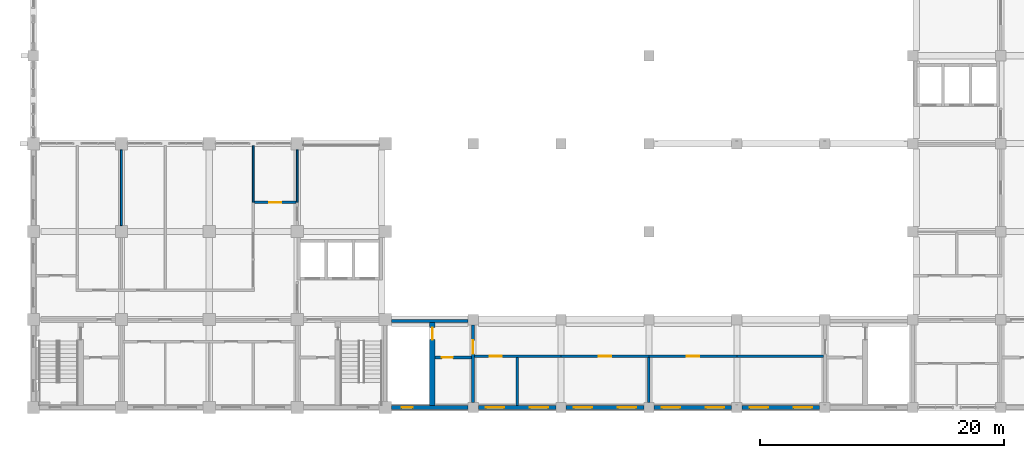
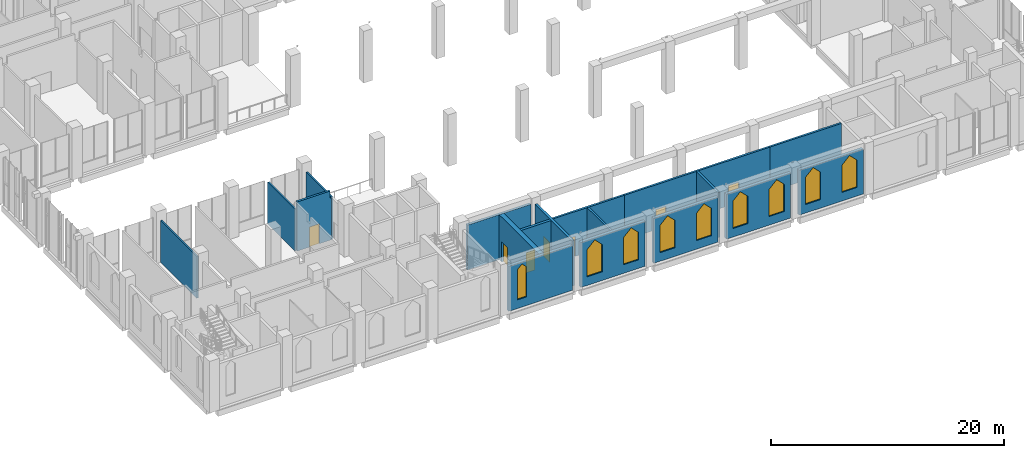
# One storey, part 29 of 48: 19 walls, 9 windows, 7 doors, 16 openings.
"""IFC4 building model written with IfcOpenShell, lengths in metres."""

from ifc_helpers import new_model, si_unit, direction, frame, frame_2d, origin, place, context, subcontext, project, spatial, polyline, rectangle, outline, extrude, material, layer, layer_set, type_object, element, fill, save


model = new_model("IFC4")

# Units and contexts
model_context = context("Model", 3, precision=1e-05, world=origin(), true_north=direction((0.0, 1.0)))
body_context = subcontext(model_context, "Body", "Model", "MODEL_VIEW")
ifc_project = project(units=[si_unit("LENGTHUNIT", "METRE"), si_unit("AREAUNIT", "SQUARE_METRE"), si_unit("VOLUMEUNIT", "CUBIC_METRE"), si_unit("PLANEANGLEUNIT", "RADIAN"), si_unit("MASSUNIT", "GRAM", prefix="KILO")], contexts=[model_context])

# Site, building, storey
site_placement = place(None, origin())
site = spatial("IfcSite", under=ifc_project, at=site_placement, CompositionType="ELEMENT")
building_placement = place(site_placement, origin())
building = spatial("IfcBuilding", under=site, at=building_placement, Name="Silangan Lancet Faculty of Sciences", CompositionType="ELEMENT")
storey_placement = place(building_placement, frame((0.0, 0.0, 6.0)))
storey = spatial("IfcBuildingStorey", under=building, at=storey_placement, Name="L01", CompositionType="ELEMENT", Elevation=6.0)

# Wall, opening, window
ifc_material_1 = material(Name="Concrete C40/50 precast", Category="concrete")
ifc_layer_1 = layer(ifc_material_1, 0.300048828125)
ifc_layer_set_1 = layer_set([ifc_layer_1], Name="Concrete C40/50 precast")
wall_type_1 = type_object("IfcWallType", Name="EW2 Turret enclosure wall", PredefinedType="STANDARD", material=ifc_layer_set_1)
wall_1_placement = place(storey_placement, frame((29.300048828125, 0.0, 0.0), z_axis=(0.0, 0.0, 1.0), x_axis=(1.0, 0.0, 0.0)))
wall_1 = element("IfcWall", 1, at=wall_1_placement, inside=storey, type_object=wall_type_1, Name="EW-L01-S-SAB-00", PredefinedType="STANDARD", context=body_context, shape_type="SweptSolid", body=[
    extrude(rectangle(XDim=6.27490234375, YDim=0.300048828125, at=frame_2d((3.137451171875, 0.0))), origin(), (0.0, 0.0, 1.0), 4.699951171875),
])
opening_1_placement = place(wall_1_placement, frame((0.85009765625, 0.0, 0.89990234375)))
opening_1 = element("IfcOpeningElement", 2, at=opening_1_placement, cuts=wall_1, Name="Opening W5", PredefinedType="OPENING", context=body_context, shape_type="SweptSolid", body=[
    extrude(outline(polyline([(0.0, 0.0), (0.89990234375, 0.0), (0.89990234375, 3.150146484375), (0.449951171875, 3.60009765625), (0.0, 3.150146484375), (0.0, 0.0)])), frame((0.0, 0.159912109375, 0.0), z_axis=(0.0, -1.0, 0.0), x_axis=(1.0, 0.0, 0.0)), (0.0, 0.0, 1.0), 0.320068359375),
])
ifc_material_2 = material(Name="Aluminium frame, laminated double glazing", Category="aluminium")
window_type_1 = type_object("IfcWindowType", Name="W5 Lancet window 900 x 3600", PartitioningType="SINGLE_PANEL", PredefinedType="WINDOW", material=ifc_material_2)
window_1_placement = place(opening_1_placement, origin())
window_1 = element("IfcWindow", 3, at=window_1_placement, inside=storey, type_object=window_type_1, Name="WIN-L01-S-SAB-00a", OverallHeight=3.60009765625, OverallWidth=0.89990234375, PartitioningType="SINGLE_PANEL", PredefinedType="WINDOW", context=body_context, shape_type="SweptSolid", body=[
    extrude(outline(polyline([(0.0, 0.0), (0.89990234375, 0.0), (0.89990234375, 3.150146484375), (0.449951171875, 3.60009765625), (0.0, 3.150146484375), (0.0, 0.0)])), frame((0.0, 0.030029296875, 0.0), z_axis=(0.0, -1.0, 0.0), x_axis=(1.0, 0.0, 0.0)), (0.0, 0.0, 1.0), 0.06005859375),
])
fill(opening_1, window_1)

# Wall, openings, windows
ifc_material_3 = material(Name="Concrete C40/50", Category="concrete")
ifc_layer_2 = layer(ifc_material_3, 0.300048828125)
ifc_layer_set_2 = layer_set([ifc_layer_2], Name="Concrete C40/50")
wall_type_2 = type_object("IfcWallType", Name="EW6 Stone-faced base wall", PredefinedType="STANDARD", material=ifc_layer_set_2)
wall_2_placement = place(storey_placement, frame((36.425048828125, 0.0, 0.0), z_axis=(0.0, 0.0, 1.0), x_axis=(1.0, 0.0, 0.0)))
wall_2 = element("IfcWall", 4, at=wall_2_placement, inside=storey, type_object=wall_type_2, Name="EW-L01-S-SAB-01", PredefinedType="STANDARD", context=body_context, shape_type="SweptSolid", body=[
    extrude(rectangle(XDim=6.349853515625, YDim=0.300048828125, at=frame_2d((3.1748046875, 0.0))), origin(), (0.0, 0.0, 1.0), 4.699951171875),
])
opening_2_placement = place(wall_2_placement, frame((0.625, 0.0, 0.89990234375)))
opening_2 = element("IfcOpeningElement", 5, at=opening_2_placement, cuts=wall_2, Name="Opening W6", PredefinedType="OPENING", context=body_context, shape_type="SweptSolid", body=[
    extrude(outline(polyline([(0.0, 0.0), (1.5, 0.0), (1.5, 2.85009765625), (0.75, 3.60009765625), (0.0, 2.85009765625), (0.0, 0.0)])), frame((0.0, 0.159912109375, 0.0), z_axis=(0.0, -1.0, 0.0), x_axis=(1.0, 0.0, 0.0)), (0.0, 0.0, 1.0), 0.320068359375),
])
opening_3_placement = place(wall_2_placement, frame((4.22509765625, 0.0, 0.89990234375)))
opening_3 = element("IfcOpeningElement", 6, at=opening_3_placement, cuts=wall_2, Name="Opening W6", PredefinedType="OPENING", context=body_context, shape_type="SweptSolid", body=[
    extrude(outline(polyline([(0.0, 0.0), (1.5, 0.0), (1.5, 2.85009765625), (0.75, 3.60009765625), (0.0, 2.85009765625), (0.0, 0.0)])), frame((0.0, 0.159912109375, 0.0), z_axis=(0.0, -1.0, 0.0), x_axis=(1.0, 0.0, 0.0)), (0.0, 0.0, 1.0), 0.320068359375),
])
ifc_material_4 = material(Name="Aluminium frame, laminated double glazing", Category="aluminium")
window_type_2 = type_object("IfcWindowType", Name="W6 Lancet window 1500 x 3600", PartitioningType="SINGLE_PANEL", PredefinedType="WINDOW", material=ifc_material_4)
window_2_placement = place(opening_2_placement, origin())
window_2 = element("IfcWindow", 7, at=window_2_placement, inside=storey, type_object=window_type_2, Name="WIN-L01-S-SAB-01a", OverallHeight=3.60009765625, OverallWidth=1.5, PartitioningType="SINGLE_PANEL", PredefinedType="WINDOW", context=body_context, shape_type="SweptSolid", body=[
    extrude(outline(polyline([(0.0, 0.0), (1.5, 0.0), (1.5, 2.85009765625), (0.75, 3.60009765625), (0.0, 2.85009765625), (0.0, 0.0)])), frame((0.0, 0.030029296875, 0.0), z_axis=(0.0, -1.0, 0.0), x_axis=(1.0, 0.0, 0.0)), (0.0, 0.0, 1.0), 0.06005859375),
])
fill(opening_2, window_2)
window_3_placement = place(opening_3_placement, origin())
window_3 = element("IfcWindow", 8, at=window_3_placement, inside=storey, type_object=window_type_2, Name="WIN-L01-S-SAB-01b", OverallHeight=3.60009765625, OverallWidth=1.5, PartitioningType="SINGLE_PANEL", PredefinedType="WINDOW", context=body_context, shape_type="SweptSolid", body=[
    extrude(outline(polyline([(0.0, 0.0), (1.5, 0.0), (1.5, 2.85009765625), (0.75, 3.60009765625), (0.0, 2.85009765625), (0.0, 0.0)])), frame((0.0, 0.030029296875, 0.0), z_axis=(0.0, -1.0, 0.0), x_axis=(1.0, 0.0, 0.0)), (0.0, 0.0, 1.0), 0.06005859375),
])
fill(opening_3, window_3)

wall_3_placement = place(storey_placement, frame((43.625, 0.0, 0.0), z_axis=(0.0, 0.0, 1.0), x_axis=(1.0, 0.0, 0.0)))
wall_3 = element("IfcWall", 9, at=wall_3_placement, inside=storey, type_object=wall_type_2, Name="EW-L01-S-SAB-02", PredefinedType="STANDARD", context=body_context, shape_type="SweptSolid", body=[
    extrude(rectangle(XDim=6.35009765625, YDim=0.300048828125, at=frame_2d((3.175048828125, 0.0))), origin(), (0.0, 0.0, 1.0), 4.699951171875),
])
opening_4_placement = place(wall_3_placement, frame((0.625, 0.0, 0.89990234375)))
opening_4 = element("IfcOpeningElement", 10, at=opening_4_placement, cuts=wall_3, Name="Opening W6", PredefinedType="OPENING", context=body_context, shape_type="SweptSolid", body=[
    extrude(outline(polyline([(0.0, 0.0), (1.5, 0.0), (1.5, 2.85009765625), (0.75, 3.60009765625), (0.0, 2.85009765625), (0.0, 0.0)])), frame((0.0, 0.159912109375, 0.0), z_axis=(0.0, -1.0, 0.0), x_axis=(1.0, 0.0, 0.0)), (0.0, 0.0, 1.0), 0.320068359375),
])
opening_5_placement = place(wall_3_placement, frame((4.22509765625, 0.0, 0.89990234375)))
opening_5 = element("IfcOpeningElement", 11, at=opening_5_placement, cuts=wall_3, Name="Opening W6", PredefinedType="OPENING", context=body_context, shape_type="SweptSolid", body=[
    extrude(outline(polyline([(0.0, 0.0), (1.5, 0.0), (1.5, 2.85009765625), (0.75, 3.60009765625), (0.0, 2.85009765625), (0.0, 0.0)])), frame((0.0, 0.159912109375, 0.0), z_axis=(0.0, -1.0, 0.0), x_axis=(1.0, 0.0, 0.0)), (0.0, 0.0, 1.0), 0.320068359375),
])
window_4_placement = place(opening_4_placement, origin())
window_4 = element("IfcWindow", 12, at=window_4_placement, inside=storey, type_object=window_type_2, Name="WIN-L01-S-SAB-02a", OverallHeight=3.60009765625, OverallWidth=1.5, PartitioningType="SINGLE_PANEL", PredefinedType="WINDOW", context=body_context, shape_type="SweptSolid", body=[
    extrude(outline(polyline([(0.0, 0.0), (1.5, 0.0), (1.5, 2.85009765625), (0.75, 3.60009765625), (0.0, 2.85009765625), (0.0, 0.0)])), frame((0.0, 0.030029296875, 0.0), z_axis=(0.0, -1.0, 0.0), x_axis=(1.0, 0.0, 0.0)), (0.0, 0.0, 1.0), 0.06005859375),
])
fill(opening_4, window_4)
window_5_placement = place(opening_5_placement, origin())
window_5 = element("IfcWindow", 13, at=window_5_placement, inside=storey, type_object=window_type_2, Name="WIN-L01-S-SAB-02b", OverallHeight=3.60009765625, OverallWidth=1.5, PartitioningType="SINGLE_PANEL", PredefinedType="WINDOW", context=body_context, shape_type="SweptSolid", body=[
    extrude(outline(polyline([(0.0, 0.0), (1.5, 0.0), (1.5, 2.85009765625), (0.75, 3.60009765625), (0.0, 2.85009765625), (0.0, 0.0)])), frame((0.0, 0.030029296875, 0.0), z_axis=(0.0, -1.0, 0.0), x_axis=(1.0, 0.0, 0.0)), (0.0, 0.0, 1.0), 0.06005859375),
])
fill(opening_5, window_5)

wall_4_placement = place(storey_placement, frame((50.824951171875, 0.0, 0.0), z_axis=(0.0, 0.0, 1.0), x_axis=(1.0, 0.0, 0.0)))
wall_4 = element("IfcWall", 14, at=wall_4_placement, inside=storey, type_object=wall_type_2, Name="EW-L01-S-SAB-03", PredefinedType="STANDARD", context=body_context, shape_type="SweptSolid", body=[
    extrude(rectangle(XDim=6.35009765625, YDim=0.300048828125, at=frame_2d((3.175048828125, 0.0))), origin(), (0.0, 0.0, 1.0), 4.699951171875),
])
opening_6_placement = place(wall_4_placement, frame((0.625, 0.0, 0.89990234375)))
opening_6 = element("IfcOpeningElement", 15, at=opening_6_placement, cuts=wall_4, Name="Opening W6", PredefinedType="OPENING", context=body_context, shape_type="SweptSolid", body=[
    extrude(outline(polyline([(0.0, 0.0), (1.5, 0.0), (1.5, 2.85009765625), (0.75, 3.60009765625), (0.0, 2.85009765625), (0.0, 0.0)])), frame((0.0, 0.159912109375, 0.0), z_axis=(0.0, -1.0, 0.0), x_axis=(1.0, 0.0, 0.0)), (0.0, 0.0, 1.0), 0.320068359375),
])
opening_7_placement = place(wall_4_placement, frame((4.22509765625, 0.0, 0.89990234375)))
opening_7 = element("IfcOpeningElement", 16, at=opening_7_placement, cuts=wall_4, Name="Opening W6", PredefinedType="OPENING", context=body_context, shape_type="SweptSolid", body=[
    extrude(outline(polyline([(0.0, 0.0), (1.5, 0.0), (1.5, 2.85009765625), (0.75, 3.60009765625), (0.0, 2.85009765625), (0.0, 0.0)])), frame((0.0, 0.159912109375, 0.0), z_axis=(0.0, -1.0, 0.0), x_axis=(1.0, 0.0, 0.0)), (0.0, 0.0, 1.0), 0.320068359375),
])
window_6_placement = place(opening_6_placement, origin())
window_6 = element("IfcWindow", 17, at=window_6_placement, inside=storey, type_object=window_type_2, Name="WIN-L01-S-SAB-03a", OverallHeight=3.60009765625, OverallWidth=1.5, PartitioningType="SINGLE_PANEL", PredefinedType="WINDOW", context=body_context, shape_type="SweptSolid", body=[
    extrude(outline(polyline([(0.0, 0.0), (1.5, 0.0), (1.5, 2.85009765625), (0.75, 3.60009765625), (0.0, 2.85009765625), (0.0, 0.0)])), frame((0.0, 0.030029296875, 0.0), z_axis=(0.0, -1.0, 0.0), x_axis=(1.0, 0.0, 0.0)), (0.0, 0.0, 1.0), 0.06005859375),
])
fill(opening_6, window_6)
window_7_placement = place(opening_7_placement, origin())
window_7 = element("IfcWindow", 18, at=window_7_placement, inside=storey, type_object=window_type_2, Name="WIN-L01-S-SAB-03b", OverallHeight=3.60009765625, OverallWidth=1.5, PartitioningType="SINGLE_PANEL", PredefinedType="WINDOW", context=body_context, shape_type="SweptSolid", body=[
    extrude(outline(polyline([(0.0, 0.0), (1.5, 0.0), (1.5, 2.85009765625), (0.75, 3.60009765625), (0.0, 2.85009765625), (0.0, 0.0)])), frame((0.0, 0.030029296875, 0.0), z_axis=(0.0, -1.0, 0.0), x_axis=(1.0, 0.0, 0.0)), (0.0, 0.0, 1.0), 0.06005859375),
])
fill(opening_7, window_7)

wall_5_placement = place(storey_placement, frame((58.02490234375, 0.0, 0.0), z_axis=(0.0, 0.0, 1.0), x_axis=(1.0, 0.0, 0.0)))
wall_5 = element("IfcWall", 19, at=wall_5_placement, inside=storey, type_object=wall_type_2, Name="EW-L01-S-SAB-04", PredefinedType="STANDARD", context=body_context, shape_type="SweptSolid", body=[
    extrude(rectangle(XDim=6.35009765625, YDim=0.300048828125, at=frame_2d((3.175048828125, 0.0))), origin(), (0.0, 0.0, 1.0), 4.699951171875),
])
opening_8_placement = place(wall_5_placement, frame((0.625, 0.0, 0.89990234375)))
opening_8 = element("IfcOpeningElement", 20, at=opening_8_placement, cuts=wall_5, Name="Opening W6", PredefinedType="OPENING", context=body_context, shape_type="SweptSolid", body=[
    extrude(outline(polyline([(0.0, 0.0), (1.5, 0.0), (1.5, 2.85009765625), (0.75, 3.60009765625), (0.0, 2.85009765625), (0.0, 0.0)])), frame((0.0, 0.159912109375, 0.0), z_axis=(0.0, -1.0, 0.0), x_axis=(1.0, 0.0, 0.0)), (0.0, 0.0, 1.0), 0.320068359375),
])
opening_9_placement = place(wall_5_placement, frame((4.22509765625, 0.0, 0.89990234375)))
opening_9 = element("IfcOpeningElement", 21, at=opening_9_placement, cuts=wall_5, Name="Opening W6", PredefinedType="OPENING", context=body_context, shape_type="SweptSolid", body=[
    extrude(outline(polyline([(0.0, 0.0), (1.5, 0.0), (1.5, 2.85009765625), (0.75, 3.60009765625), (0.0, 2.85009765625), (0.0, 0.0)])), frame((0.0, 0.159912109375, 0.0), z_axis=(0.0, -1.0, 0.0), x_axis=(1.0, 0.0, 0.0)), (0.0, 0.0, 1.0), 0.320068359375),
])
window_8_placement = place(opening_8_placement, origin())
window_8 = element("IfcWindow", 22, at=window_8_placement, inside=storey, type_object=window_type_2, Name="WIN-L01-S-SAB-04a", OverallHeight=3.60009765625, OverallWidth=1.5, PartitioningType="SINGLE_PANEL", PredefinedType="WINDOW", context=body_context, shape_type="SweptSolid", body=[
    extrude(outline(polyline([(0.0, 0.0), (1.5, 0.0), (1.5, 2.85009765625), (0.75, 3.60009765625), (0.0, 2.85009765625), (0.0, 0.0)])), frame((0.0, 0.030029296875, 0.0), z_axis=(0.0, -1.0, 0.0), x_axis=(1.0, 0.0, 0.0)), (0.0, 0.0, 1.0), 0.06005859375),
])
fill(opening_8, window_8)
window_9_placement = place(opening_9_placement, origin())
window_9 = element("IfcWindow", 23, at=window_9_placement, inside=storey, type_object=window_type_2, Name="WIN-L01-S-SAB-04b", OverallHeight=3.60009765625, OverallWidth=1.5, PartitioningType="SINGLE_PANEL", PredefinedType="WINDOW", context=body_context, shape_type="SweptSolid", body=[
    extrude(outline(polyline([(0.0, 0.0), (1.5, 0.0), (1.5, 2.85009765625), (0.75, 3.60009765625), (0.0, 2.85009765625), (0.0, 0.0)])), frame((0.0, 0.030029296875, 0.0), z_axis=(0.0, -1.0, 0.0), x_axis=(1.0, 0.0, 0.0)), (0.0, 0.0, 1.0), 0.06005859375),
])
fill(opening_9, window_9)

# Wall, opening, door
ifc_material_5 = material(Name="Hollow block masonry fm 7 MPa", Category="masonry")
ifc_layer_3 = layer(ifc_material_5, 0.199951171875)
ifc_layer_set_3 = layer_set([ifc_layer_3], Name="Hollow block masonry fm 7 MPa")
wall_type_3 = type_object("IfcWallType", Name="Interior wall PW1 Corridor wall CHB 200", PredefinedType="PARTITIONING", material=ifc_layer_set_3)
wall_6_placement = place(storey_placement, frame((36.125, 4.199951171875, 0.0), z_axis=(0.0, 0.0, 1.0), x_axis=(1.0, 0.0, 0.0)))
wall_6 = element("IfcWall", 24, at=wall_6_placement, inside=storey, type_object=wall_type_3, Name="Corridor wall CHB 200", PredefinedType="PARTITIONING", context=body_context, shape_type="SweptSolid", body=[
    extrude(rectangle(XDim=7.074951171875, YDim=0.199951171875, at=frame_2d((3.53759765625, 0.0))), origin(), (0.0, 0.0, 1.0), 4.699951171875),
])
opening_10_placement = place(wall_6_placement, frame((1.237548828125, 0.0, 0.0)))
opening_10 = element("IfcOpeningElement", 25, at=opening_10_placement, cuts=wall_6, Name="Opening L01-031", PredefinedType="OPENING", context=body_context, shape_type="SweptSolid", body=[
    extrude(rectangle(XDim=1.0, YDim=2.10009765625, at=frame_2d((0.5, 1.050048828125))), frame((0.0, 0.10986328125, 0.0), z_axis=(0.0, -1.0, 0.0), x_axis=(1.0, 0.0, 0.0)), (0.0, 0.0, 1.0), 0.219970703125),
])
ifc_material_6 = material(Name="Steel fire door set", Category="steel")
door_type_1 = type_object("IfcDoorType", Name="Door D1 Single leaf fire door 1000 x 2100", OperationType="SINGLE_SWING_LEFT", PredefinedType="DOOR", material=ifc_material_6)
door_1_placement = place(opening_10_placement, frame((1.0, 0.0, 0.0), z_axis=(0.0, 0.0, 1.0), x_axis=(-1.0, 0.0, 0.0)))
door_1 = element("IfcDoor", 26, at=door_1_placement, inside=storey, type_object=door_type_1, Name="Single leaf fire door 1000 x 2100", OperationType="SINGLE_SWING_RIGHT", OverallHeight=2.10009765625, OverallWidth=1.0, PredefinedType="DOOR", context=body_context, shape_type="SweptSolid", body=[
    extrude(rectangle(XDim=1.0, YDim=2.10009765625, at=frame_2d((0.5, 1.050048828125))), frame((0.0, 0.025146484375, 0.0), z_axis=(0.0, -1.0, 0.0), x_axis=(1.0, 0.0, 0.0)), (0.0, 0.0, 1.0), 0.050048828125),
])
fill(opening_10, door_1)

wall_7_placement = place(storey_placement, frame((43.199951171875, 4.199951171875, 0.0), z_axis=(0.0, 0.0, 1.0), x_axis=(1.0, 0.0, 0.0)))
wall_7 = element("IfcWall", 27, at=wall_7_placement, inside=storey, type_object=wall_type_3, Name="Corridor wall CHB 200", PredefinedType="PARTITIONING", context=body_context, shape_type="SweptSolid", body=[
    extrude(rectangle(XDim=7.199951171875, YDim=0.199951171875, at=frame_2d((3.60009765625, 0.0))), origin(), (0.0, 0.0, 1.0), 4.699951171875),
])
opening_11_placement = place(wall_7_placement, frame((3.099853515625, 0.0, 0.0)))
opening_11 = element("IfcOpeningElement", 28, at=opening_11_placement, cuts=wall_7, Name="Opening L01-032", PredefinedType="OPENING", context=body_context, shape_type="SweptSolid", body=[
    extrude(rectangle(XDim=1.0, YDim=2.10009765625, at=frame_2d((0.5, 1.050048828125))), frame((0.0, 0.10986328125, 0.0), z_axis=(0.0, -1.0, 0.0), x_axis=(1.0, 0.0, 0.0)), (0.0, 0.0, 1.0), 0.219970703125),
])
door_2_placement = place(opening_11_placement, frame((1.0, 0.0, 0.0), z_axis=(0.0, 0.0, 1.0), x_axis=(-1.0, 0.0, 0.0)))
door_2 = element("IfcDoor", 29, at=door_2_placement, inside=storey, type_object=door_type_1, Name="Single leaf fire door 1000 x 2100", OperationType="SINGLE_SWING_LEFT", OverallHeight=2.10009765625, OverallWidth=1.0, PredefinedType="DOOR", context=body_context, shape_type="SweptSolid", body=[
    extrude(rectangle(XDim=1.0, YDim=2.10009765625, at=frame_2d((0.5, 1.050048828125))), frame((0.0, 0.025146484375, 0.0), z_axis=(0.0, -1.0, 0.0), x_axis=(1.0, 0.0, 0.0)), (0.0, 0.0, 1.0), 0.050048828125),
])
fill(opening_11, door_2)

wall_8_placement = place(storey_placement, frame((50.39990234375, 4.199951171875, 0.0), z_axis=(0.0, 0.0, 1.0), x_axis=(1.0, 0.0, 0.0)))
wall_8 = element("IfcWall", 30, at=wall_8_placement, inside=storey, type_object=wall_type_3, Name="Corridor wall CHB 200", PredefinedType="PARTITIONING", context=body_context, shape_type="SweptSolid", body=[
    extrude(rectangle(XDim=7.2001953125, YDim=0.199951171875, at=frame_2d((3.60009765625, 0.0))), origin(), (0.0, 0.0, 1.0), 4.699951171875),
])
opening_12_placement = place(wall_8_placement, frame((3.10009765625, 0.0, 0.0)))
opening_12 = element("IfcOpeningElement", 31, at=opening_12_placement, cuts=wall_8, Name="Opening L01-033", PredefinedType="OPENING", context=body_context, shape_type="SweptSolid", body=[
    extrude(rectangle(XDim=1.0, YDim=2.10009765625, at=frame_2d((0.5, 1.050048828125))), frame((0.0, 0.10986328125, 0.0), z_axis=(0.0, -1.0, 0.0), x_axis=(1.0, 0.0, 0.0)), (0.0, 0.0, 1.0), 0.219970703125),
])
door_3_placement = place(opening_12_placement, frame((1.0, 0.0, 0.0), z_axis=(0.0, 0.0, 1.0), x_axis=(-1.0, 0.0, 0.0)))
door_3 = element("IfcDoor", 32, at=door_3_placement, inside=storey, type_object=door_type_1, Name="Single leaf fire door 1000 x 2100", OperationType="SINGLE_SWING_RIGHT", OverallHeight=2.10009765625, OverallWidth=1.0, PredefinedType="DOOR", context=body_context, shape_type="SweptSolid", body=[
    extrude(rectangle(XDim=1.0, YDim=2.10009765625, at=frame_2d((0.5, 1.050048828125))), frame((0.0, 0.025146484375, 0.0), z_axis=(0.0, -1.0, 0.0), x_axis=(1.0, 0.0, 0.0)), (0.0, 0.0, 1.0), 0.050048828125),
])
fill(opening_12, door_3)

# Wall
wall_9_placement = place(storey_placement, frame((57.60009765625, 4.199951171875, 0.0), z_axis=(0.0, 0.0, 1.0), x_axis=(1.0, 0.0, 0.0)))
element("IfcWall", 33, at=wall_9_placement, inside=storey, type_object=wall_type_3, Name="Corridor wall CHB 200", PredefinedType="PARTITIONING", context=body_context, shape_type="SweptSolid", body=[
    extrude(rectangle(XDim=7.074951171875, YDim=0.199951171875, at=frame_2d((3.53759765625, 0.0))), origin(), (0.0, 0.0, 1.0), 4.699951171875),
])

# Wall, opening, door
wall_10_placement = place(storey_placement, frame((18.10009765625, 16.800048828125, 0.0), z_axis=(0.0, 0.0, 1.0), x_axis=(1.0, 0.0, 0.0)))
wall_10 = element("IfcWall", 34, at=wall_10_placement, inside=storey, type_object=wall_type_3, Name="Corridor wall CHB 200", PredefinedType="PARTITIONING", context=body_context, shape_type="SweptSolid", body=[
    extrude(outline(polyline([(0.0, 0.0), (3.39990234375, 0.0), (3.39990234375, 4.39990234375), (3.25, 4.39990234375), (3.25, 5.14990234375), (0.0, 5.14990234375), (0.0, 0.0)])), frame((0.0, 0.10009765625, 0.0), z_axis=(0.0, -1.0, 0.0), x_axis=(1.0, 0.0, 0.0)), (0.0, 0.0, 1.0), 0.199951171875),
])
opening_13_placement = place(wall_10_placement, frame((1.199951171875, 0.0, 0.0)))
opening_13 = element("IfcOpeningElement", 35, at=opening_13_placement, cuts=wall_10, Name="Opening L01-013", PredefinedType="OPENING", context=body_context, shape_type="SweptSolid", body=[
    extrude(rectangle(XDim=1.0, YDim=2.10009765625, at=frame_2d((0.5, 1.050048828125))), frame((0.0, 0.10986328125, 0.0), z_axis=(0.0, -1.0, 0.0), x_axis=(1.0, 0.0, 0.0)), (0.0, 0.0, 1.0), 0.219970703125),
])
door_4_placement = place(opening_13_placement, origin())
door_4 = element("IfcDoor", 36, at=door_4_placement, inside=storey, type_object=door_type_1, Name="Single leaf fire door 1000 x 2100", OperationType="SINGLE_SWING_LEFT", OverallHeight=2.10009765625, OverallWidth=1.0, PredefinedType="DOOR", context=body_context, shape_type="SweptSolid", body=[
    extrude(rectangle(XDim=1.0, YDim=2.10009765625, at=frame_2d((0.5, 1.050048828125))), frame((0.0, 0.02490234375, 0.0), z_axis=(0.0, -1.0, 0.0), x_axis=(1.0, 0.0, 0.0)), (0.0, 0.0, 1.0), 0.050048828125),
])
fill(opening_13, door_4)

# Walls
ifc_material_7 = material(Name="Hollow block masonry fm 7 MPa", Category="masonry")
ifc_layer_4 = layer(ifc_material_7, 0.14990234375)
ifc_layer_set_4 = layer_set([ifc_layer_4], Name="Hollow block masonry fm 7 MPa")
wall_type_4 = type_object("IfcWallType", Name="Interior wall PW3 Partition CHB 150", PredefinedType="PARTITIONING", material=ifc_layer_set_4)
wall_11_placement = place(storey_placement, frame((7.199951171875, 14.89990234375, 0.0), z_axis=(0.0, 0.0, 1.0), x_axis=(0.0, 1.0, 0.0)))
element("IfcWall", 37, at=wall_11_placement, inside=storey, type_object=wall_type_4, Name="Partition CHB 150", PredefinedType="PARTITIONING", context=body_context, shape_type="SweptSolid", body=[
    extrude(rectangle(XDim=6.2001953125, YDim=0.14990234375, at=frame_2d((3.10009765625, 0.0))), origin(), (0.0, 0.0, 1.0), 4.39990234375),
])
wall_12_placement = place(storey_placement, frame((18.0, 16.800048828125, 0.0), z_axis=(0.0, 0.0, 1.0), x_axis=(0.0, 1.0, 0.0)))
element("IfcWall", 38, at=wall_12_placement, inside=storey, type_object=wall_type_4, Name="Partition CHB 150", PredefinedType="PARTITIONING", context=body_context, shape_type="SweptSolid", body=[
    extrude(rectangle(XDim=4.64990234375, YDim=0.14990234375, at=frame_2d((2.324951171875, 0.0))), origin(), (0.0, 0.0, 1.0), 4.39990234375),
])
wall_13_placement = place(storey_placement, frame((21.60009765625, 16.800048828125, 0.0), z_axis=(0.0, 0.0, 1.0), x_axis=(0.0, 1.0, 0.0)))
element("IfcWall", 39, at=wall_13_placement, inside=storey, type_object=wall_type_4, Name="Partition CHB 150", PredefinedType="PARTITIONING", context=body_context, shape_type="SweptSolid", body=[
    extrude(rectangle(XDim=4.300048828125, YDim=0.14990234375, at=frame_2d((2.14990234375, 0.0))), origin(), (0.0, 0.0, 1.0), 4.39990234375),
])
ifc_material_8 = material(Name="Hollow block masonry fm 7 MPa", Category="masonry")
ifc_layer_5 = layer(ifc_material_8, 0.199951171875)
ifc_layer_set_5 = layer_set([ifc_layer_5], Name="Hollow block masonry fm 7 MPa")
wall_type_5 = type_object("IfcWallType", Name="Interior wall PW4 Laboratory separation CHB 200", PredefinedType="PARTITIONING", material=ifc_layer_set_5)
wall_14_placement = place(storey_placement, frame((39.60009765625, 0.14990234375, 0.0), z_axis=(0.0, 0.0, 1.0), x_axis=(0.0, 1.0, 0.0)))
element("IfcWall", 40, at=wall_14_placement, inside=storey, type_object=wall_type_5, Name="Laboratory separation CHB 200", PredefinedType="PARTITIONING", context=body_context, shape_type="SweptSolid", body=[
    extrude(rectangle(XDim=3.9501953125, YDim=0.199951171875, at=frame_2d((1.97509765625, 0.0))), origin(), (0.0, 0.0, 1.0), 4.699951171875),
])
wall_15_placement = place(storey_placement, frame((50.39990234375, 0.425048828125, 0.0), z_axis=(0.0, 0.0, 1.0), x_axis=(0.0, 1.0, 0.0)))
element("IfcWall", 41, at=wall_15_placement, inside=storey, type_object=wall_type_5, Name="Laboratory separation CHB 200", PredefinedType="PARTITIONING", context=body_context, shape_type="SweptSolid", body=[
    extrude(rectangle(XDim=3.675048828125, YDim=0.199951171875, at=frame_2d((1.83740234375, 0.0))), origin(), (0.0, 0.0, 1.0), 4.699951171875),
])

# Wall, opening, door
ifc_material_9 = material(Name="Concrete C40/50", Category="concrete")
ifc_layer_6 = layer(ifc_material_9, 0.449951171875)
ifc_layer_set_6 = layer_set([ifc_layer_6], Name="Concrete C40/50")
wall_type_6 = type_object("IfcWallType", Name="TURRET CORE WALL RC 450", PredefinedType="SHEAR", material=ifc_layer_set_6)
wall_16_placement = place(storey_placement, frame((32.675048828125, 0.14990234375, 0.0), z_axis=(0.0, 0.0, 1.0), x_axis=(0.0, 1.0, 0.0)))
wall_16 = element("IfcWall", 42, at=wall_16_placement, inside=storey, type_object=wall_type_6, Name="WALL-L01-SAB-A-WELL", PredefinedType="SHEAR", context=body_context, shape_type="SweptSolid", body=[
    extrude(rectangle(XDim=6.800048828125, YDim=0.449951171875, at=frame_2d((3.39990234375, 0.0))), origin(), (0.0, 0.0, 1.0), 4.699951171875),
])
opening_14_placement = place(wall_16_placement, frame((5.39990234375, 0.0, 0.0)))
opening_14 = element("IfcOpeningElement", 43, at=opening_14_placement, cuts=wall_16, Name="Opening L01-719", PredefinedType="OPENING", context=body_context, shape_type="SweptSolid", body=[
    extrude(rectangle(XDim=1.0, YDim=2.10009765625, at=frame_2d((0.5, 1.050048828125))), frame((0.0, 0.23486328125, 0.0), z_axis=(0.0, -1.0, 0.0), x_axis=(1.0, 0.0, 0.0)), (0.0, 0.0, 1.0), 0.469970703125),
])
ifc_material_10 = material(Name="Steel fire door set", Category="steel")
door_type_2 = type_object("IfcDoorType", Name="D71 Stair enclosure door 1000x2100", OperationType="SINGLE_SWING_LEFT", PredefinedType="DOOR", material=ifc_material_10)
door_5_placement = place(opening_14_placement, origin())
door_5 = element("IfcDoor", 44, at=door_5_placement, inside=storey, type_object=door_type_2, Name="Stair enclosure door SAB-A L01", OperationType="SINGLE_SWING_RIGHT", OverallHeight=2.10009765625, OverallWidth=1.0, PredefinedType="DOOR", context=body_context, shape_type="SweptSolid", body=[
    extrude(rectangle(XDim=1.0, YDim=2.10009765625, at=frame_2d((0.5, 1.050048828125))), frame((0.0, 0.02490234375, 0.0), z_axis=(0.0, -1.0, 0.0), x_axis=(1.0, 0.0, 0.0)), (0.0, 0.0, 1.0), 0.050048828125),
])
fill(opening_14, door_5)

# Wall
ifc_material_11 = material(Name="Concrete C40/50", Category="concrete")
ifc_layer_7 = layer(ifc_material_11, 0.25)
ifc_layer_set_7 = layer_set([ifc_layer_7], Name="Concrete C40/50")
wall_type_7 = type_object("IfcWallType", Name="TURRET WALL RC 250", PredefinedType="SHEAR", material=ifc_layer_set_7)
wall_17_placement = place(storey_placement, frame((29.300048828125, 7.074951171875, 0.0), z_axis=(0.0, 0.0, 1.0), x_axis=(1.0, 0.0, 0.0)))
element("IfcWall", 45, at=wall_17_placement, inside=storey, type_object=wall_type_7, Name="WALL-L01-SAB-A-V", PredefinedType="SHEAR", context=body_context, shape_type="SweptSolid", body=[
    extrude(rectangle(XDim=6.27490234375, YDim=0.25, at=frame_2d((3.137451171875, 0.0))), origin(), (0.0, 0.0, 1.0), 4.699951171875),
])

# Wall, opening, door
wall_18_placement = place(storey_placement, frame((36.0, 0.425048828125, 0.0), z_axis=(0.0, 0.0, 1.0), x_axis=(0.0, 1.0, 0.0)))
wall_18 = element("IfcWall", 46, at=wall_18_placement, inside=storey, type_object=wall_type_7, Name="WALL-L01-SAB-A-O", PredefinedType="SHEAR", context=body_context, shape_type="SweptSolid", body=[
    extrude(rectangle(XDim=6.349853515625, YDim=0.25, at=frame_2d((3.1748046875, 0.0))), origin(), (0.0, 0.0, 1.0), 4.699951171875),
])
opening_15_placement = place(wall_18_placement, frame((3.97509765625, 0.0, 0.0)))
opening_15 = element("IfcOpeningElement", 47, at=opening_15_placement, cuts=wall_18, Name="Opening L01-720", PredefinedType="OPENING", context=body_context, shape_type="SweptSolid", body=[
    extrude(rectangle(XDim=1.10009765625, YDim=2.10009765625, at=frame_2d((0.550048828125, 1.050048828125))), frame((0.0, 0.135009765625, 0.0), z_axis=(0.0, -1.0, 0.0), x_axis=(1.0, 0.0, 0.0)), (0.0, 0.0, 1.0), 0.27001953125),
])
ifc_material_12 = material(Name="Steel fire door set", Category="steel")
door_type_3 = type_object("IfcDoorType", Name="D70 Stair vestibule door 1100x2100", OperationType="SINGLE_SWING_LEFT", PredefinedType="DOOR", material=ifc_material_12)
door_6_placement = place(opening_15_placement, origin())
door_6 = element("IfcDoor", 48, at=door_6_placement, inside=storey, type_object=door_type_3, Name="Stair vestibule door SAB-A L01", OperationType="SINGLE_SWING_RIGHT", OverallHeight=2.10009765625, OverallWidth=1.10009765625, PredefinedType="DOOR", context=body_context, shape_type="SweptSolid", body=[
    extrude(rectangle(XDim=1.10009765625, YDim=2.10009765625, at=frame_2d((0.550048828125, 1.050048828125))), frame((0.0, 0.02490234375, 0.0), z_axis=(0.0, -1.0, 0.0), x_axis=(1.0, 0.0, 0.0)), (0.0, 0.0, 1.0), 0.050048828125),
])
fill(opening_15, door_6)

wall_19_placement = place(storey_placement, frame((32.89990234375, 4.10009765625, 0.0), z_axis=(0.0, 0.0, 1.0), x_axis=(1.0, 0.0, 0.0)))
wall_19 = element("IfcWall", 49, at=wall_19_placement, inside=storey, type_object=wall_type_7, Name="WALL-L01-SAB-A-RISER", PredefinedType="SHEAR", context=body_context, shape_type="SweptSolid", body=[
    extrude(rectangle(XDim=2.97509765625, YDim=0.25, at=frame_2d((1.487548828125, 0.0))), origin(), (0.0, 0.0, 1.0), 4.699951171875),
])
opening_16_placement = place(wall_19_placement, frame((0.550048828125, 0.0, 0.0)))
opening_16 = element("IfcOpeningElement", 50, at=opening_16_placement, cuts=wall_19, Name="Opening L01-721", PredefinedType="OPENING", context=body_context, shape_type="SweptSolid", body=[
    extrude(rectangle(XDim=0.89990234375, YDim=2.10009765625, at=frame_2d((0.449951171875, 1.050048828125))), frame((0.0, 0.135009765625, 0.0), z_axis=(0.0, -1.0, 0.0), x_axis=(1.0, 0.0, 0.0)), (0.0, 0.0, 1.0), 0.27001953125),
])
ifc_material_13 = material(Name="Steel fire door set", Category="steel")
door_type_4 = type_object("IfcDoorType", Name="D72 Riser access door 900x2100", OperationType="SINGLE_SWING_LEFT", PredefinedType="DOOR", material=ifc_material_13)
door_7_placement = place(opening_16_placement, frame((0.89990234375, 0.0, 0.0), z_axis=(0.0, 0.0, 1.0), x_axis=(-1.0, 0.0, 0.0)))
door_7 = element("IfcDoor", 51, at=door_7_placement, inside=storey, type_object=door_type_4, Name="Riser access door SAB-A L01", OperationType="SINGLE_SWING_LEFT", OverallHeight=2.10009765625, OverallWidth=0.89990234375, PredefinedType="DOOR", context=body_context, shape_type="SweptSolid", body=[
    extrude(rectangle(XDim=0.89990234375, YDim=2.10009765625, at=frame_2d((0.449951171875, 1.050048828125))), frame((0.0, 0.025146484375, 0.0), z_axis=(0.0, -1.0, 0.0), x_axis=(1.0, 0.0, 0.0)), (0.0, 0.0, 1.0), 0.050048828125),
])
fill(opening_16, door_7)

save(model, "model.ifc")
